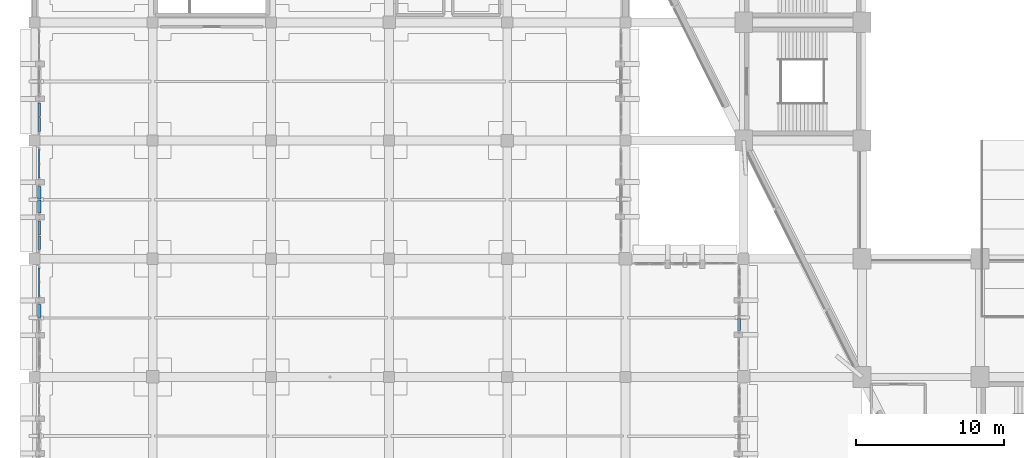
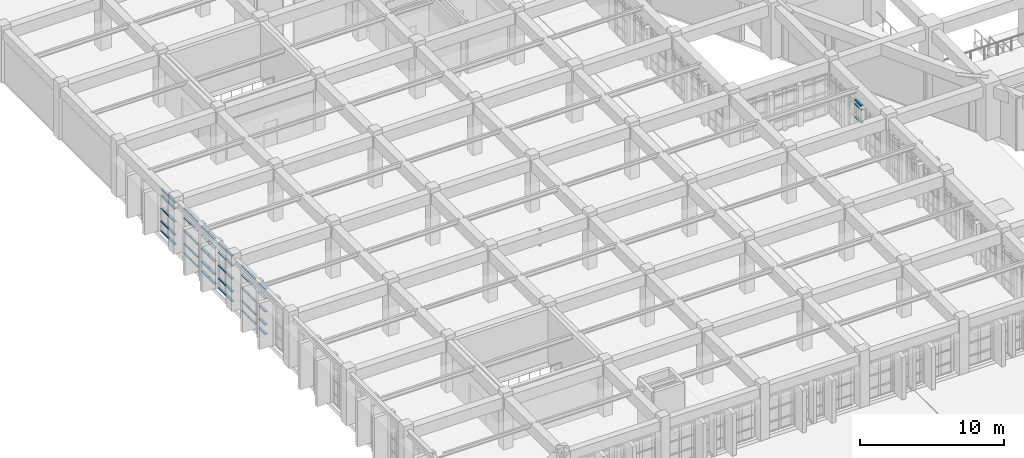
# One storey, part 55 of 155: 58 members, 7 elements without a shape of their own.
"""IFC4 building model written with IfcOpenShell, lengths in metres."""

from ifc_helpers import new_model, si_unit, direction, frame, origin, origin_2d, place, context, subcontext, project, spatial, rectangle, extrude, material, layer, layer_set, material_profile, profile_set, type_object, element, aggregate, save


model = new_model("IFC4")

# Units and contexts
model_context = context("Model", 3, precision=1e-05, world=origin(), true_north=direction((0.0, 1.0)))
body_context = subcontext(model_context, "Body", "Model", "MODEL_VIEW")
ifc_project = project(units=[si_unit("LENGTHUNIT", "METRE"), si_unit("AREAUNIT", "SQUARE_METRE"), si_unit("VOLUMEUNIT", "CUBIC_METRE"), si_unit("PLANEANGLEUNIT", "RADIAN"), si_unit("MASSUNIT", "GRAM", prefix="KILO")], contexts=[model_context])

# Site, building, storey
site_placement = place(None, origin())
site = spatial("IfcSite", under=ifc_project, at=site_placement, CompositionType="ELEMENT")
building_placement = place(site_placement, origin())
building = spatial("IfcBuilding", under=site, at=building_placement, Name="Tazarka Park Arena", CompositionType="ELEMENT")
storey_placement = place(building_placement, frame((0.0, 0.0, 5.39990234375)))
storey = spatial("IfcBuildingStorey", under=building, at=storey_placement, Name="L01", CompositionType="ELEMENT", Elevation=5.39990234375)

# Curtain wall, members
ifc_material_1 = material(Name="Aluminium and low-e glass", Category="aluminium")
ifc_layer_1 = layer(ifc_material_1, 0.179931640625, Name="Aluminium and low-e glass")
ifc_layer_set_1 = layer_set([ifc_layer_1], Name="Aluminium and low-e glass")
curtain_wall_type_1 = type_object("IfcCurtainWallType", Name="CW-24", PredefinedType="NOTDEFINED", material=ifc_layer_set_1)
curtain_wall_1_placement = place(storey_placement, origin())
curtain_wall_1 = element("IfcCurtainWall", 1, at=curtain_wall_1_placement, inside=storey, type_object=curtain_wall_type_1, Name="Curtain Wall CWA-L01-144", PredefinedType="NOTDEFINED")
ifc_material_2 = material(Name="Aluminium 6060-T66", Category="aluminium")
ifc_material_profile_1 = material_profile(ifc_material_2, rectangle(XDim=0.139892578125, YDim=0.06494140625, at=origin_2d()), Name="Aluminium 6060-T66")
ifc_profile_set_1 = profile_set([ifc_material_profile_1], Name="Aluminium 6060-T66")
member_type_1 = type_object("IfcMemberType", Name="CWT-01", PredefinedType="USERDEFINED", material=ifc_profile_set_1)
member_1_placement = place(storey_placement, frame((0.320068359375, 45.456787109375, 0.03271484375), z_axis=(0.0, 1.0, 0.0), x_axis=(-1.0, 0.0, 0.0)))
member_1 = element("IfcMember", 2, at=member_1_placement, type_object=member_type_1, Name="CW-24 transom 1.1", ObjectType="TRANSOM", PredefinedType="USERDEFINED", context=body_context, shape_type="SweptSolid", body=[
    extrude(rectangle(XDim=0.139892578125, YDim=0.06494140625, at=origin_2d()), origin(), (0.0, 0.0, 1.0), 0.928955078125),
])
member_2_placement = place(storey_placement, frame((0.320068359375, 45.456787109375, 0.85009765625), z_axis=(0.0, 1.0, 0.0), x_axis=(-1.0, 0.0, 0.0)))
member_2 = element("IfcMember", 3, at=member_2_placement, type_object=member_type_1, Name="CW-24 transom 1.2", ObjectType="TRANSOM", PredefinedType="USERDEFINED", context=body_context, shape_type="SweptSolid", body=[
    extrude(rectangle(XDim=0.139892578125, YDim=0.06494140625, at=origin_2d()), origin(), (0.0, 0.0, 1.0), 0.928955078125),
])
member_3_placement = place(storey_placement, frame((0.320068359375, 45.456787109375, 1.9501953125), z_axis=(0.0, 1.0, 0.0), x_axis=(-1.0, 0.0, 0.0)))
member_3 = element("IfcMember", 4, at=member_3_placement, type_object=member_type_1, Name="CW-24 transom 1.3", ObjectType="TRANSOM", PredefinedType="USERDEFINED", context=body_context, shape_type="SweptSolid", body=[
    extrude(rectangle(XDim=0.139892578125, YDim=0.06494140625, at=origin_2d()), origin(), (0.0, 0.0, 1.0), 0.928955078125),
])
member_4_placement = place(storey_placement, frame((0.320068359375, 45.456787109375, 3.050048828125), z_axis=(0.0, 1.0, 0.0), x_axis=(-1.0, 0.0, 0.0)))
member_4 = element("IfcMember", 5, at=member_4_placement, type_object=member_type_1, Name="CW-24 transom 1.4", ObjectType="TRANSOM", PredefinedType="USERDEFINED", context=body_context, shape_type="SweptSolid", body=[
    extrude(rectangle(XDim=0.139892578125, YDim=0.06494140625, at=origin_2d()), origin(), (0.0, 0.0, 1.0), 0.928955078125),
])
member_5_placement = place(storey_placement, frame((0.320068359375, 45.456787109375, 3.877685546875), z_axis=(0.0, 1.0, 0.0), x_axis=(-1.0, 0.0, 0.0)))
member_5 = element("IfcMember", 6, at=member_5_placement, type_object=member_type_1, Name="CW-24 transom 1.5", ObjectType="TRANSOM", PredefinedType="USERDEFINED", context=body_context, shape_type="SweptSolid", body=[
    extrude(rectangle(XDim=0.139892578125, YDim=0.06494140625, at=origin_2d()), origin(), (0.0, 0.0, 1.0), 0.928955078125),
])
member_6_placement = place(storey_placement, frame((0.320068359375, 46.450927734375, 0.03271484375), z_axis=(0.0, 1.0, 0.0), x_axis=(-1.0, 0.0, 0.0)))
member_6 = element("IfcMember", 7, at=member_6_placement, type_object=member_type_1, Name="CW-24 transom 2.1", ObjectType="TRANSOM", PredefinedType="USERDEFINED", context=body_context, shape_type="SweptSolid", body=[
    extrude(rectangle(XDim=0.139892578125, YDim=0.06494140625, at=origin_2d()), origin(), (0.0, 0.0, 1.0), 0.928955078125),
])
member_7_placement = place(storey_placement, frame((0.320068359375, 46.450927734375, 0.85009765625), z_axis=(0.0, 1.0, 0.0), x_axis=(-1.0, 0.0, 0.0)))
member_7 = element("IfcMember", 8, at=member_7_placement, type_object=member_type_1, Name="CW-24 transom 2.2", ObjectType="TRANSOM", PredefinedType="USERDEFINED", context=body_context, shape_type="SweptSolid", body=[
    extrude(rectangle(XDim=0.139892578125, YDim=0.06494140625, at=origin_2d()), origin(), (0.0, 0.0, 1.0), 0.928955078125),
])
member_8_placement = place(storey_placement, frame((0.320068359375, 46.450927734375, 1.9501953125), z_axis=(0.0, 1.0, 0.0), x_axis=(-1.0, 0.0, 0.0)))
member_8 = element("IfcMember", 9, at=member_8_placement, type_object=member_type_1, Name="CW-24 transom 2.3", ObjectType="TRANSOM", PredefinedType="USERDEFINED", context=body_context, shape_type="SweptSolid", body=[
    extrude(rectangle(XDim=0.139892578125, YDim=0.06494140625, at=origin_2d()), origin(), (0.0, 0.0, 1.0), 0.928955078125),
])
member_9_placement = place(storey_placement, frame((0.320068359375, 46.450927734375, 3.050048828125), z_axis=(0.0, 1.0, 0.0), x_axis=(-1.0, 0.0, 0.0)))
member_9 = element("IfcMember", 10, at=member_9_placement, type_object=member_type_1, Name="CW-24 transom 2.4", ObjectType="TRANSOM", PredefinedType="USERDEFINED", context=body_context, shape_type="SweptSolid", body=[
    extrude(rectangle(XDim=0.139892578125, YDim=0.06494140625, at=origin_2d()), origin(), (0.0, 0.0, 1.0), 0.928955078125),
])
member_10_placement = place(storey_placement, frame((0.320068359375, 46.450927734375, 3.877685546875), z_axis=(0.0, 1.0, 0.0), x_axis=(-1.0, 0.0, 0.0)))
member_10 = element("IfcMember", 11, at=member_10_placement, type_object=member_type_1, Name="CW-24 transom 2.5", ObjectType="TRANSOM", PredefinedType="USERDEFINED", context=body_context, shape_type="SweptSolid", body=[
    extrude(rectangle(XDim=0.139892578125, YDim=0.06494140625, at=origin_2d()), origin(), (0.0, 0.0, 1.0), 0.928955078125),
])
aggregate(curtain_wall_1, [member_1, member_2, member_3, member_4, member_5, member_6, member_7, member_8, member_9, member_10])

ifc_material_3 = material(Name="Aluminium and low-e glass", Category="aluminium")
ifc_layer_2 = layer(ifc_material_3, 0.179931640625, Name="Aluminium and low-e glass")
ifc_layer_set_2 = layer_set([ifc_layer_2], Name="Aluminium and low-e glass")
curtain_wall_type_2 = type_object("IfcCurtainWallType", Name="CW-27", PredefinedType="NOTDEFINED", material=ifc_layer_set_2)
curtain_wall_2_placement = place(storey_placement, origin())
curtain_wall_2 = element("IfcCurtainWall", 12, at=curtain_wall_2_placement, inside=storey, type_object=curtain_wall_type_2, Name="Curtain Wall CWA-L01-147", PredefinedType="NOTDEFINED")
member_11_placement = place(storey_placement, frame((0.320068359375, 37.456787109375, 0.03271484375), z_axis=(0.0, 1.0, 0.0), x_axis=(-1.0, 0.0, 0.0)))
member_11 = element("IfcMember", 13, at=member_11_placement, type_object=member_type_1, Name="CW-27 transom 1.1", ObjectType="TRANSOM", PredefinedType="USERDEFINED", context=body_context, shape_type="SweptSolid", body=[
    extrude(rectangle(XDim=0.139892578125, YDim=0.06494140625, at=origin_2d()), origin(), (0.0, 0.0, 1.0), 0.928955078125),
])
member_12_placement = place(storey_placement, frame((0.320068359375, 37.456787109375, 0.85009765625), z_axis=(0.0, 1.0, 0.0), x_axis=(-1.0, 0.0, 0.0)))
member_12 = element("IfcMember", 14, at=member_12_placement, type_object=member_type_1, Name="CW-27 transom 1.2", ObjectType="TRANSOM", PredefinedType="USERDEFINED", context=body_context, shape_type="SweptSolid", body=[
    extrude(rectangle(XDim=0.139892578125, YDim=0.06494140625, at=origin_2d()), origin(), (0.0, 0.0, 1.0), 0.928955078125),
])
member_13_placement = place(storey_placement, frame((0.320068359375, 37.456787109375, 1.9501953125), z_axis=(0.0, 1.0, 0.0), x_axis=(-1.0, 0.0, 0.0)))
member_13 = element("IfcMember", 15, at=member_13_placement, type_object=member_type_1, Name="CW-27 transom 1.3", ObjectType="TRANSOM", PredefinedType="USERDEFINED", context=body_context, shape_type="SweptSolid", body=[
    extrude(rectangle(XDim=0.139892578125, YDim=0.06494140625, at=origin_2d()), origin(), (0.0, 0.0, 1.0), 0.928955078125),
])
member_14_placement = place(storey_placement, frame((0.320068359375, 37.456787109375, 3.050048828125), z_axis=(0.0, 1.0, 0.0), x_axis=(-1.0, 0.0, 0.0)))
member_14 = element("IfcMember", 16, at=member_14_placement, type_object=member_type_1, Name="CW-27 transom 1.4", ObjectType="TRANSOM", PredefinedType="USERDEFINED", context=body_context, shape_type="SweptSolid", body=[
    extrude(rectangle(XDim=0.139892578125, YDim=0.06494140625, at=origin_2d()), origin(), (0.0, 0.0, 1.0), 0.928955078125),
])
member_15_placement = place(storey_placement, frame((0.320068359375, 37.456787109375, 3.877685546875), z_axis=(0.0, 1.0, 0.0), x_axis=(-1.0, 0.0, 0.0)))
member_15 = element("IfcMember", 17, at=member_15_placement, type_object=member_type_1, Name="CW-27 transom 1.5", ObjectType="TRANSOM", PredefinedType="USERDEFINED", context=body_context, shape_type="SweptSolid", body=[
    extrude(rectangle(XDim=0.139892578125, YDim=0.06494140625, at=origin_2d()), origin(), (0.0, 0.0, 1.0), 0.928955078125),
])
member_16_placement = place(storey_placement, frame((0.320068359375, 38.450927734375, 0.03271484375), z_axis=(0.0, 1.0, 0.0), x_axis=(-1.0, 0.0, 0.0)))
member_16 = element("IfcMember", 18, at=member_16_placement, type_object=member_type_1, Name="CW-27 transom 2.1", ObjectType="TRANSOM", PredefinedType="USERDEFINED", context=body_context, shape_type="SweptSolid", body=[
    extrude(rectangle(XDim=0.139892578125, YDim=0.06494140625, at=origin_2d()), origin(), (0.0, 0.0, 1.0), 0.928955078125),
])
member_17_placement = place(storey_placement, frame((0.320068359375, 38.450927734375, 0.85009765625), z_axis=(0.0, 1.0, 0.0), x_axis=(-1.0, 0.0, 0.0)))
member_17 = element("IfcMember", 19, at=member_17_placement, type_object=member_type_1, Name="CW-27 transom 2.2", ObjectType="TRANSOM", PredefinedType="USERDEFINED", context=body_context, shape_type="SweptSolid", body=[
    extrude(rectangle(XDim=0.139892578125, YDim=0.06494140625, at=origin_2d()), origin(), (0.0, 0.0, 1.0), 0.928955078125),
])
member_18_placement = place(storey_placement, frame((0.320068359375, 38.450927734375, 1.9501953125), z_axis=(0.0, 1.0, 0.0), x_axis=(-1.0, 0.0, 0.0)))
member_18 = element("IfcMember", 20, at=member_18_placement, type_object=member_type_1, Name="CW-27 transom 2.3", ObjectType="TRANSOM", PredefinedType="USERDEFINED", context=body_context, shape_type="SweptSolid", body=[
    extrude(rectangle(XDim=0.139892578125, YDim=0.06494140625, at=origin_2d()), origin(), (0.0, 0.0, 1.0), 0.928955078125),
])
member_19_placement = place(storey_placement, frame((0.320068359375, 38.450927734375, 3.050048828125), z_axis=(0.0, 1.0, 0.0), x_axis=(-1.0, 0.0, 0.0)))
member_19 = element("IfcMember", 21, at=member_19_placement, type_object=member_type_1, Name="CW-27 transom 2.4", ObjectType="TRANSOM", PredefinedType="USERDEFINED", context=body_context, shape_type="SweptSolid", body=[
    extrude(rectangle(XDim=0.139892578125, YDim=0.06494140625, at=origin_2d()), origin(), (0.0, 0.0, 1.0), 0.928955078125),
])
member_20_placement = place(storey_placement, frame((0.320068359375, 38.450927734375, 3.877685546875), z_axis=(0.0, 1.0, 0.0), x_axis=(-1.0, 0.0, 0.0)))
member_20 = element("IfcMember", 22, at=member_20_placement, type_object=member_type_1, Name="CW-27 transom 2.5", ObjectType="TRANSOM", PredefinedType="USERDEFINED", context=body_context, shape_type="SweptSolid", body=[
    extrude(rectangle(XDim=0.139892578125, YDim=0.06494140625, at=origin_2d()), origin(), (0.0, 0.0, 1.0), 0.928955078125),
])
aggregate(curtain_wall_2, [member_11, member_12, member_13, member_14, member_15, member_16, member_17, member_18, member_19, member_20])

ifc_material_4 = material(Name="Aluminium and low-e glass", Category="aluminium")
ifc_layer_3 = layer(ifc_material_4, 0.179931640625, Name="Aluminium and low-e glass")
ifc_layer_set_3 = layer_set([ifc_layer_3], Name="Aluminium and low-e glass")
curtain_wall_type_3 = type_object("IfcCurtainWallType", Name="CW-19", PredefinedType="NOTDEFINED", material=ifc_layer_set_3)
curtain_wall_3_placement = place(storey_placement, origin())
curtain_wall_3 = element("IfcCurtainWall", 23, at=curtain_wall_3_placement, inside=storey, type_object=curtain_wall_type_3, Name="Curtain Wall CWA-L01-139", PredefinedType="NOTDEFINED")
ifc_material_5 = material(Name="Aluminium 6060-T66", Category="aluminium")
ifc_material_profile_2 = material_profile(ifc_material_5, rectangle(XDim=0.179931640625, YDim=0.06494140625, at=origin_2d()), Name="Aluminium 6060-T66")
ifc_profile_set_2 = profile_set([ifc_material_profile_2], Name="Aluminium 6060-T66")
member_type_2 = type_object("IfcMemberType", Name="CWT-02", PredefinedType="USERDEFINED", material=ifc_profile_set_2)
member_21_placement = place(storey_placement, frame((0.320068359375, 48.6201171875, 0.03271484375), z_axis=(0.0, 1.0, 0.0), x_axis=(-1.0, 0.0, 0.0)))
member_21 = element("IfcMember", 24, at=member_21_placement, type_object=member_type_2, Name="CW-19 transom 1.1", ObjectType="TRANSOM", PredefinedType="USERDEFINED", context=body_context, shape_type="SweptSolid", body=[
    extrude(rectangle(XDim=0.179931640625, YDim=0.06494140625, at=origin_2d()), origin(), (0.0, 0.0, 1.0), 0.928955078125),
])
member_22_placement = place(storey_placement, frame((0.320068359375, 48.6201171875, 0.85009765625), z_axis=(0.0, 1.0, 0.0), x_axis=(-1.0, 0.0, 0.0)))
member_22 = element("IfcMember", 25, at=member_22_placement, type_object=member_type_2, Name="CW-19 transom 1.2", ObjectType="TRANSOM", PredefinedType="USERDEFINED", context=body_context, shape_type="SweptSolid", body=[
    extrude(rectangle(XDim=0.179931640625, YDim=0.06494140625, at=origin_2d()), origin(), (0.0, 0.0, 1.0), 0.928955078125),
])
member_23_placement = place(storey_placement, frame((0.320068359375, 48.6201171875, 1.9501953125), z_axis=(0.0, 1.0, 0.0), x_axis=(-1.0, 0.0, 0.0)))
member_23 = element("IfcMember", 26, at=member_23_placement, type_object=member_type_2, Name="CW-19 transom 1.3", ObjectType="TRANSOM", PredefinedType="USERDEFINED", context=body_context, shape_type="SweptSolid", body=[
    extrude(rectangle(XDim=0.179931640625, YDim=0.06494140625, at=origin_2d()), origin(), (0.0, 0.0, 1.0), 0.928955078125),
])
member_24_placement = place(storey_placement, frame((0.320068359375, 48.6201171875, 3.050048828125), z_axis=(0.0, 1.0, 0.0), x_axis=(-1.0, 0.0, 0.0)))
member_24 = element("IfcMember", 27, at=member_24_placement, type_object=member_type_2, Name="CW-19 transom 1.4", ObjectType="TRANSOM", PredefinedType="USERDEFINED", context=body_context, shape_type="SweptSolid", body=[
    extrude(rectangle(XDim=0.179931640625, YDim=0.06494140625, at=origin_2d()), origin(), (0.0, 0.0, 1.0), 0.928955078125),
])
member_25_placement = place(storey_placement, frame((0.320068359375, 48.6201171875, 3.567626953125), z_axis=(0.0, 1.0, 0.0), x_axis=(-1.0, 0.0, 0.0)))
member_25 = element("IfcMember", 28, at=member_25_placement, type_object=member_type_2, Name="CW-19 transom 1.5", ObjectType="TRANSOM", PredefinedType="USERDEFINED", context=body_context, shape_type="SweptSolid", body=[
    extrude(rectangle(XDim=0.179931640625, YDim=0.06494140625, at=origin_2d()), origin(), (0.0, 0.0, 1.0), 0.928955078125),
])
member_26_placement = place(storey_placement, frame((0.320068359375, 49.6142578125, 0.03271484375), z_axis=(0.0, 1.0, 0.0), x_axis=(-1.0, 0.0, 0.0)))
member_26 = element("IfcMember", 29, at=member_26_placement, type_object=member_type_2, Name="CW-19 transom 2.1", ObjectType="TRANSOM", PredefinedType="USERDEFINED", context=body_context, shape_type="SweptSolid", body=[
    extrude(rectangle(XDim=0.179931640625, YDim=0.06494140625, at=origin_2d()), origin(), (0.0, 0.0, 1.0), 0.928955078125),
])
member_27_placement = place(storey_placement, frame((0.320068359375, 49.6142578125, 0.85009765625), z_axis=(0.0, 1.0, 0.0), x_axis=(-1.0, 0.0, 0.0)))
member_27 = element("IfcMember", 30, at=member_27_placement, type_object=member_type_2, Name="CW-19 transom 2.2", ObjectType="TRANSOM", PredefinedType="USERDEFINED", context=body_context, shape_type="SweptSolid", body=[
    extrude(rectangle(XDim=0.179931640625, YDim=0.06494140625, at=origin_2d()), origin(), (0.0, 0.0, 1.0), 0.928955078125),
])
member_28_placement = place(storey_placement, frame((0.320068359375, 49.6142578125, 1.9501953125), z_axis=(0.0, 1.0, 0.0), x_axis=(-1.0, 0.0, 0.0)))
member_28 = element("IfcMember", 31, at=member_28_placement, type_object=member_type_2, Name="CW-19 transom 2.3", ObjectType="TRANSOM", PredefinedType="USERDEFINED", context=body_context, shape_type="SweptSolid", body=[
    extrude(rectangle(XDim=0.179931640625, YDim=0.06494140625, at=origin_2d()), origin(), (0.0, 0.0, 1.0), 0.928955078125),
])
member_29_placement = place(storey_placement, frame((0.320068359375, 49.6142578125, 3.050048828125), z_axis=(0.0, 1.0, 0.0), x_axis=(-1.0, 0.0, 0.0)))
member_29 = element("IfcMember", 32, at=member_29_placement, type_object=member_type_2, Name="CW-19 transom 2.4", ObjectType="TRANSOM", PredefinedType="USERDEFINED", context=body_context, shape_type="SweptSolid", body=[
    extrude(rectangle(XDim=0.179931640625, YDim=0.06494140625, at=origin_2d()), origin(), (0.0, 0.0, 1.0), 0.928955078125),
])
member_30_placement = place(storey_placement, frame((0.320068359375, 49.6142578125, 3.567626953125), z_axis=(0.0, 1.0, 0.0), x_axis=(-1.0, 0.0, 0.0)))
member_30 = element("IfcMember", 33, at=member_30_placement, type_object=member_type_2, Name="CW-19 transom 2.5", ObjectType="TRANSOM", PredefinedType="USERDEFINED", context=body_context, shape_type="SweptSolid", body=[
    extrude(rectangle(XDim=0.179931640625, YDim=0.06494140625, at=origin_2d()), origin(), (0.0, 0.0, 1.0), 0.928955078125),
])
aggregate(curtain_wall_3, [member_21, member_22, member_23, member_24, member_25, member_26, member_27, member_28, member_29, member_30])

ifc_material_6 = material(Name="Aluminium and low-e glass", Category="aluminium")
ifc_layer_4 = layer(ifc_material_6, 0.179931640625, Name="Aluminium and low-e glass")
ifc_layer_set_4 = layer_set([ifc_layer_4], Name="Aluminium and low-e glass")
curtain_wall_type_4 = type_object("IfcCurtainWallType", Name="CW-22", PredefinedType="NOTDEFINED", material=ifc_layer_set_4)
curtain_wall_4_placement = place(storey_placement, origin())
curtain_wall_4 = element("IfcCurtainWall", 34, at=curtain_wall_4_placement, inside=storey, type_object=curtain_wall_type_4, Name="Curtain Wall CWA-L01-142", PredefinedType="NOTDEFINED")
member_31_placement = place(storey_placement, frame((0.320068359375, 40.6201171875, 0.03271484375), z_axis=(0.0, 1.0, 0.0), x_axis=(-1.0, 0.0, 0.0)))
member_31 = element("IfcMember", 35, at=member_31_placement, type_object=member_type_2, Name="CW-22 transom 1.1", ObjectType="TRANSOM", PredefinedType="USERDEFINED", context=body_context, shape_type="SweptSolid", body=[
    extrude(rectangle(XDim=0.179931640625, YDim=0.06494140625, at=origin_2d()), origin(), (0.0, 0.0, 1.0), 0.928955078125),
])
member_32_placement = place(storey_placement, frame((0.320068359375, 40.6201171875, 0.85009765625), z_axis=(0.0, 1.0, 0.0), x_axis=(-1.0, 0.0, 0.0)))
member_32 = element("IfcMember", 36, at=member_32_placement, type_object=member_type_2, Name="CW-22 transom 1.2", ObjectType="TRANSOM", PredefinedType="USERDEFINED", context=body_context, shape_type="SweptSolid", body=[
    extrude(rectangle(XDim=0.179931640625, YDim=0.06494140625, at=origin_2d()), origin(), (0.0, 0.0, 1.0), 0.928955078125),
])
member_33_placement = place(storey_placement, frame((0.320068359375, 40.6201171875, 1.9501953125), z_axis=(0.0, 1.0, 0.0), x_axis=(-1.0, 0.0, 0.0)))
member_33 = element("IfcMember", 37, at=member_33_placement, type_object=member_type_2, Name="CW-22 transom 1.3", ObjectType="TRANSOM", PredefinedType="USERDEFINED", context=body_context, shape_type="SweptSolid", body=[
    extrude(rectangle(XDim=0.179931640625, YDim=0.06494140625, at=origin_2d()), origin(), (0.0, 0.0, 1.0), 0.928955078125),
])
member_34_placement = place(storey_placement, frame((0.320068359375, 40.6201171875, 3.050048828125), z_axis=(0.0, 1.0, 0.0), x_axis=(-1.0, 0.0, 0.0)))
member_34 = element("IfcMember", 38, at=member_34_placement, type_object=member_type_2, Name="CW-22 transom 1.4", ObjectType="TRANSOM", PredefinedType="USERDEFINED", context=body_context, shape_type="SweptSolid", body=[
    extrude(rectangle(XDim=0.179931640625, YDim=0.06494140625, at=origin_2d()), origin(), (0.0, 0.0, 1.0), 0.928955078125),
])
member_35_placement = place(storey_placement, frame((0.320068359375, 40.6201171875, 3.877685546875), z_axis=(0.0, 1.0, 0.0), x_axis=(-1.0, 0.0, 0.0)))
member_35 = element("IfcMember", 39, at=member_35_placement, type_object=member_type_2, Name="CW-22 transom 1.5", ObjectType="TRANSOM", PredefinedType="USERDEFINED", context=body_context, shape_type="SweptSolid", body=[
    extrude(rectangle(XDim=0.179931640625, YDim=0.06494140625, at=origin_2d()), origin(), (0.0, 0.0, 1.0), 0.928955078125),
])
member_36_placement = place(storey_placement, frame((0.320068359375, 41.6142578125, 0.03271484375), z_axis=(0.0, 1.0, 0.0), x_axis=(-1.0, 0.0, 0.0)))
member_36 = element("IfcMember", 40, at=member_36_placement, type_object=member_type_2, Name="CW-22 transom 2.1", ObjectType="TRANSOM", PredefinedType="USERDEFINED", context=body_context, shape_type="SweptSolid", body=[
    extrude(rectangle(XDim=0.179931640625, YDim=0.06494140625, at=origin_2d()), origin(), (0.0, 0.0, 1.0), 0.928955078125),
])
member_37_placement = place(storey_placement, frame((0.320068359375, 41.6142578125, 0.85009765625), z_axis=(0.0, 1.0, 0.0), x_axis=(-1.0, 0.0, 0.0)))
member_37 = element("IfcMember", 41, at=member_37_placement, type_object=member_type_2, Name="CW-22 transom 2.2", ObjectType="TRANSOM", PredefinedType="USERDEFINED", context=body_context, shape_type="SweptSolid", body=[
    extrude(rectangle(XDim=0.179931640625, YDim=0.06494140625, at=origin_2d()), origin(), (0.0, 0.0, 1.0), 0.928955078125),
])
member_38_placement = place(storey_placement, frame((0.320068359375, 41.6142578125, 1.9501953125), z_axis=(0.0, 1.0, 0.0), x_axis=(-1.0, 0.0, 0.0)))
member_38 = element("IfcMember", 42, at=member_38_placement, type_object=member_type_2, Name="CW-22 transom 2.3", ObjectType="TRANSOM", PredefinedType="USERDEFINED", context=body_context, shape_type="SweptSolid", body=[
    extrude(rectangle(XDim=0.179931640625, YDim=0.06494140625, at=origin_2d()), origin(), (0.0, 0.0, 1.0), 0.928955078125),
])
member_39_placement = place(storey_placement, frame((0.320068359375, 41.6142578125, 3.050048828125), z_axis=(0.0, 1.0, 0.0), x_axis=(-1.0, 0.0, 0.0)))
member_39 = element("IfcMember", 43, at=member_39_placement, type_object=member_type_2, Name="CW-22 transom 2.4", ObjectType="TRANSOM", PredefinedType="USERDEFINED", context=body_context, shape_type="SweptSolid", body=[
    extrude(rectangle(XDim=0.179931640625, YDim=0.06494140625, at=origin_2d()), origin(), (0.0, 0.0, 1.0), 0.928955078125),
])
member_40_placement = place(storey_placement, frame((0.320068359375, 41.6142578125, 3.877685546875), z_axis=(0.0, 1.0, 0.0), x_axis=(-1.0, 0.0, 0.0)))
member_40 = element("IfcMember", 44, at=member_40_placement, type_object=member_type_2, Name="CW-22 transom 2.5", ObjectType="TRANSOM", PredefinedType="USERDEFINED", context=body_context, shape_type="SweptSolid", body=[
    extrude(rectangle(XDim=0.179931640625, YDim=0.06494140625, at=origin_2d()), origin(), (0.0, 0.0, 1.0), 0.928955078125),
])
aggregate(curtain_wall_4, [member_31, member_32, member_33, member_34, member_35, member_36, member_37, member_38, member_39, member_40])

ifc_material_7 = material(Name="Aluminium and low-e glass", Category="aluminium")
ifc_layer_5 = layer(ifc_material_7, 0.179931640625, Name="Aluminium and low-e glass")
ifc_layer_set_5 = layer_set([ifc_layer_5], Name="Aluminium and low-e glass")
curtain_wall_type_5 = type_object("IfcCurtainWallType", Name="CW-08", PredefinedType="NOTDEFINED", material=ifc_layer_set_5)
curtain_wall_5_placement = place(storey_placement, origin())
curtain_wall_5 = element("IfcCurtainWall", 45, at=curtain_wall_5_placement, inside=storey, type_object=curtain_wall_type_5, Name="Curtain Wall CWA-L01-098", PredefinedType="NOTDEFINED")
ifc_material_8 = material(Name="Aluminium 6060-T66", Category="aluminium")
ifc_material_profile_3 = material_profile(ifc_material_8, rectangle(XDim=0.2099609375, YDim=0.074951171875, at=origin_2d()), Name="Aluminium 6060-T66")
ifc_profile_set_3 = profile_set([ifc_material_profile_3], Name="Aluminium 6060-T66")
member_type_3 = type_object("IfcMemberType", Name="CWT-03", PredefinedType="USERDEFINED", material=ifc_profile_set_3)
member_41_placement = place(storey_placement, frame((47.679931640625, 35.987548828125, 1.9501953125), z_axis=(0.0, -1.0, 0.0), x_axis=(1.0, 0.0, 0.0)))
member_41 = element("IfcMember", 46, at=member_41_placement, type_object=member_type_3, Name="CW-08 transom 2.3", ObjectType="TRANSOM", PredefinedType="USERDEFINED", context=body_context, shape_type="SweptSolid", body=[
    extrude(rectangle(XDim=0.2099609375, YDim=0.074951171875, at=origin_2d()), origin(), (0.0, 0.0, 1.0), 0.850830078125),
])
member_42_placement = place(storey_placement, frame((47.679931640625, 35.987548828125, 3.050048828125), z_axis=(0.0, -1.0, 0.0), x_axis=(1.0, 0.0, 0.0)))
member_42 = element("IfcMember", 47, at=member_42_placement, type_object=member_type_3, Name="CW-08 transom 2.4", ObjectType="TRANSOM", PredefinedType="USERDEFINED", context=body_context, shape_type="SweptSolid", body=[
    extrude(rectangle(XDim=0.2099609375, YDim=0.074951171875, at=origin_2d()), origin(), (0.0, 0.0, 1.0), 0.850830078125),
])
member_43_placement = place(storey_placement, frame((47.679931640625, 35.987548828125, 3.41259765625), z_axis=(0.0, -1.0, 0.0), x_axis=(1.0, 0.0, 0.0)))
member_43 = element("IfcMember", 48, at=member_43_placement, type_object=member_type_3, Name="CW-08 transom 2.5", ObjectType="TRANSOM", PredefinedType="USERDEFINED", context=body_context, shape_type="SweptSolid", body=[
    extrude(rectangle(XDim=0.2099609375, YDim=0.074951171875, at=origin_2d()), origin(), (0.0, 0.0, 1.0), 0.850830078125),
])
aggregate(curtain_wall_5, [member_41, member_42, member_43])

ifc_material_9 = material(Name="Aluminium and low-e glass", Category="aluminium")
ifc_layer_6 = layer(ifc_material_9, 0.179931640625, Name="Aluminium and low-e glass")
ifc_layer_set_6 = layer_set([ifc_layer_6], Name="Aluminium and low-e glass")
curtain_wall_type_6 = type_object("IfcCurtainWallType", Name="CW-23", PredefinedType="NOTDEFINED", material=ifc_layer_set_6)
curtain_wall_6_placement = place(storey_placement, origin())
curtain_wall_6 = element("IfcCurtainWall", 49, at=curtain_wall_6_placement, inside=storey, type_object=curtain_wall_type_6, Name="Curtain Wall CWA-L01-143", PredefinedType="NOTDEFINED")
member_44_placement = place(storey_placement, frame((0.320068359375, 43.103271484375, 0.03759765625), z_axis=(0.0, 1.0, 0.0), x_axis=(-1.0, 0.0, 0.0)))
member_44 = element("IfcMember", 50, at=member_44_placement, type_object=member_type_3, Name="CW-23 transom 1.1", ObjectType="TRANSOM", PredefinedType="USERDEFINED", context=body_context, shape_type="SweptSolid", body=[
    extrude(rectangle(XDim=0.2099609375, YDim=0.074951171875, at=origin_2d()), origin(), (0.0, 0.0, 1.0), 0.859130859375),
])
member_45_placement = place(storey_placement, frame((0.320068359375, 43.103271484375, 0.85009765625), z_axis=(0.0, 1.0, 0.0), x_axis=(-1.0, 0.0, 0.0)))
member_45 = element("IfcMember", 51, at=member_45_placement, type_object=member_type_3, Name="CW-23 transom 1.2", ObjectType="TRANSOM", PredefinedType="USERDEFINED", context=body_context, shape_type="SweptSolid", body=[
    extrude(rectangle(XDim=0.2099609375, YDim=0.074951171875, at=origin_2d()), origin(), (0.0, 0.0, 1.0), 0.859130859375),
])
member_46_placement = place(storey_placement, frame((0.320068359375, 43.103271484375, 1.9501953125), z_axis=(0.0, 1.0, 0.0), x_axis=(-1.0, 0.0, 0.0)))
member_46 = element("IfcMember", 52, at=member_46_placement, type_object=member_type_3, Name="CW-23 transom 1.3", ObjectType="TRANSOM", PredefinedType="USERDEFINED", context=body_context, shape_type="SweptSolid", body=[
    extrude(rectangle(XDim=0.2099609375, YDim=0.074951171875, at=origin_2d()), origin(), (0.0, 0.0, 1.0), 0.859130859375),
])
member_47_placement = place(storey_placement, frame((0.320068359375, 43.103271484375, 3.050048828125), z_axis=(0.0, 1.0, 0.0), x_axis=(-1.0, 0.0, 0.0)))
member_47 = element("IfcMember", 53, at=member_47_placement, type_object=member_type_3, Name="CW-23 transom 1.4", ObjectType="TRANSOM", PredefinedType="USERDEFINED", context=body_context, shape_type="SweptSolid", body=[
    extrude(rectangle(XDim=0.2099609375, YDim=0.074951171875, at=origin_2d()), origin(), (0.0, 0.0, 1.0), 0.859130859375),
])
member_48_placement = place(storey_placement, frame((0.320068359375, 43.103271484375, 3.87255859375), z_axis=(0.0, 1.0, 0.0), x_axis=(-1.0, 0.0, 0.0)))
member_48 = element("IfcMember", 54, at=member_48_placement, type_object=member_type_3, Name="CW-23 transom 1.5", ObjectType="TRANSOM", PredefinedType="USERDEFINED", context=body_context, shape_type="SweptSolid", body=[
    extrude(rectangle(XDim=0.2099609375, YDim=0.074951171875, at=origin_2d()), origin(), (0.0, 0.0, 1.0), 0.859130859375),
])
member_49_placement = place(storey_placement, frame((0.320068359375, 44.03759765625, 0.03759765625), z_axis=(0.0, 1.0, 0.0), x_axis=(-1.0, 0.0, 0.0)))
member_49 = element("IfcMember", 55, at=member_49_placement, type_object=member_type_3, Name="CW-23 transom 2.1", ObjectType="TRANSOM", PredefinedType="USERDEFINED", context=body_context, shape_type="SweptSolid", body=[
    extrude(rectangle(XDim=0.2099609375, YDim=0.074951171875, at=origin_2d()), origin(), (0.0, 0.0, 1.0), 0.859130859375),
])
member_50_placement = place(storey_placement, frame((0.320068359375, 44.03759765625, 0.85009765625), z_axis=(0.0, 1.0, 0.0), x_axis=(-1.0, 0.0, 0.0)))
member_50 = element("IfcMember", 56, at=member_50_placement, type_object=member_type_3, Name="CW-23 transom 2.2", ObjectType="TRANSOM", PredefinedType="USERDEFINED", context=body_context, shape_type="SweptSolid", body=[
    extrude(rectangle(XDim=0.2099609375, YDim=0.074951171875, at=origin_2d()), origin(), (0.0, 0.0, 1.0), 0.859130859375),
])
member_51_placement = place(storey_placement, frame((0.320068359375, 44.03759765625, 1.9501953125), z_axis=(0.0, 1.0, 0.0), x_axis=(-1.0, 0.0, 0.0)))
member_51 = element("IfcMember", 57, at=member_51_placement, type_object=member_type_3, Name="CW-23 transom 2.3", ObjectType="TRANSOM", PredefinedType="USERDEFINED", context=body_context, shape_type="SweptSolid", body=[
    extrude(rectangle(XDim=0.2099609375, YDim=0.074951171875, at=origin_2d()), origin(), (0.0, 0.0, 1.0), 0.859130859375),
])
member_52_placement = place(storey_placement, frame((0.320068359375, 44.03759765625, 3.050048828125), z_axis=(0.0, 1.0, 0.0), x_axis=(-1.0, 0.0, 0.0)))
member_52 = element("IfcMember", 58, at=member_52_placement, type_object=member_type_3, Name="CW-23 transom 2.4", ObjectType="TRANSOM", PredefinedType="USERDEFINED", context=body_context, shape_type="SweptSolid", body=[
    extrude(rectangle(XDim=0.2099609375, YDim=0.074951171875, at=origin_2d()), origin(), (0.0, 0.0, 1.0), 0.859130859375),
])
member_53_placement = place(storey_placement, frame((0.320068359375, 44.03759765625, 3.87255859375), z_axis=(0.0, 1.0, 0.0), x_axis=(-1.0, 0.0, 0.0)))
member_53 = element("IfcMember", 59, at=member_53_placement, type_object=member_type_3, Name="CW-23 transom 2.5", ObjectType="TRANSOM", PredefinedType="USERDEFINED", context=body_context, shape_type="SweptSolid", body=[
    extrude(rectangle(XDim=0.2099609375, YDim=0.074951171875, at=origin_2d()), origin(), (0.0, 0.0, 1.0), 0.859130859375),
])
aggregate(curtain_wall_6, [member_44, member_45, member_46, member_47, member_48, member_49, member_50, member_51, member_52, member_53])

ifc_material_10 = material(Name="Aluminium and low-e glass", Category="aluminium")
ifc_layer_7 = layer(ifc_material_10, 0.179931640625, Name="Aluminium and low-e glass")
ifc_layer_set_7 = layer_set([ifc_layer_7], Name="Aluminium and low-e glass")
curtain_wall_type_7 = type_object("IfcCurtainWallType", Name="CW-26", PredefinedType="NOTDEFINED", material=ifc_layer_set_7)
curtain_wall_7_placement = place(storey_placement, origin())
curtain_wall_7 = element("IfcCurtainWall", 60, at=curtain_wall_7_placement, inside=storey, type_object=curtain_wall_type_7, Name="Curtain Wall CWA-L01-146", PredefinedType="NOTDEFINED")
member_54_placement = place(storey_placement, frame((0.320068359375, 36.03759765625, 0.03759765625), z_axis=(0.0, 1.0, 0.0), x_axis=(-1.0, 0.0, 0.0)))
member_54 = element("IfcMember", 61, at=member_54_placement, type_object=member_type_3, Name="CW-26 transom 2.1", ObjectType="TRANSOM", PredefinedType="USERDEFINED", context=body_context, shape_type="SweptSolid", body=[
    extrude(rectangle(XDim=0.2099609375, YDim=0.074951171875, at=origin_2d()), origin(), (0.0, 0.0, 1.0), 0.859130859375),
])
member_55_placement = place(storey_placement, frame((0.320068359375, 36.03759765625, 0.85009765625), z_axis=(0.0, 1.0, 0.0), x_axis=(-1.0, 0.0, 0.0)))
member_55 = element("IfcMember", 62, at=member_55_placement, type_object=member_type_3, Name="CW-26 transom 2.2", ObjectType="TRANSOM", PredefinedType="USERDEFINED", context=body_context, shape_type="SweptSolid", body=[
    extrude(rectangle(XDim=0.2099609375, YDim=0.074951171875, at=origin_2d()), origin(), (0.0, 0.0, 1.0), 0.859130859375),
])
member_56_placement = place(storey_placement, frame((0.320068359375, 36.03759765625, 1.9501953125), z_axis=(0.0, 1.0, 0.0), x_axis=(-1.0, 0.0, 0.0)))
member_56 = element("IfcMember", 63, at=member_56_placement, type_object=member_type_3, Name="CW-26 transom 2.3", ObjectType="TRANSOM", PredefinedType="USERDEFINED", context=body_context, shape_type="SweptSolid", body=[
    extrude(rectangle(XDim=0.2099609375, YDim=0.074951171875, at=origin_2d()), origin(), (0.0, 0.0, 1.0), 0.859130859375),
])
member_57_placement = place(storey_placement, frame((0.320068359375, 36.03759765625, 3.050048828125), z_axis=(0.0, 1.0, 0.0), x_axis=(-1.0, 0.0, 0.0)))
member_57 = element("IfcMember", 64, at=member_57_placement, type_object=member_type_3, Name="CW-26 transom 2.4", ObjectType="TRANSOM", PredefinedType="USERDEFINED", context=body_context, shape_type="SweptSolid", body=[
    extrude(rectangle(XDim=0.2099609375, YDim=0.074951171875, at=origin_2d()), origin(), (0.0, 0.0, 1.0), 0.859130859375),
])
member_58_placement = place(storey_placement, frame((0.320068359375, 36.03759765625, 3.87255859375), z_axis=(0.0, 1.0, 0.0), x_axis=(-1.0, 0.0, 0.0)))
member_58 = element("IfcMember", 65, at=member_58_placement, type_object=member_type_3, Name="CW-26 transom 2.5", ObjectType="TRANSOM", PredefinedType="USERDEFINED", context=body_context, shape_type="SweptSolid", body=[
    extrude(rectangle(XDim=0.2099609375, YDim=0.074951171875, at=origin_2d()), origin(), (0.0, 0.0, 1.0), 0.859130859375),
])
aggregate(curtain_wall_7, [member_54, member_55, member_56, member_57, member_58])

save(model, "model.ifc")
